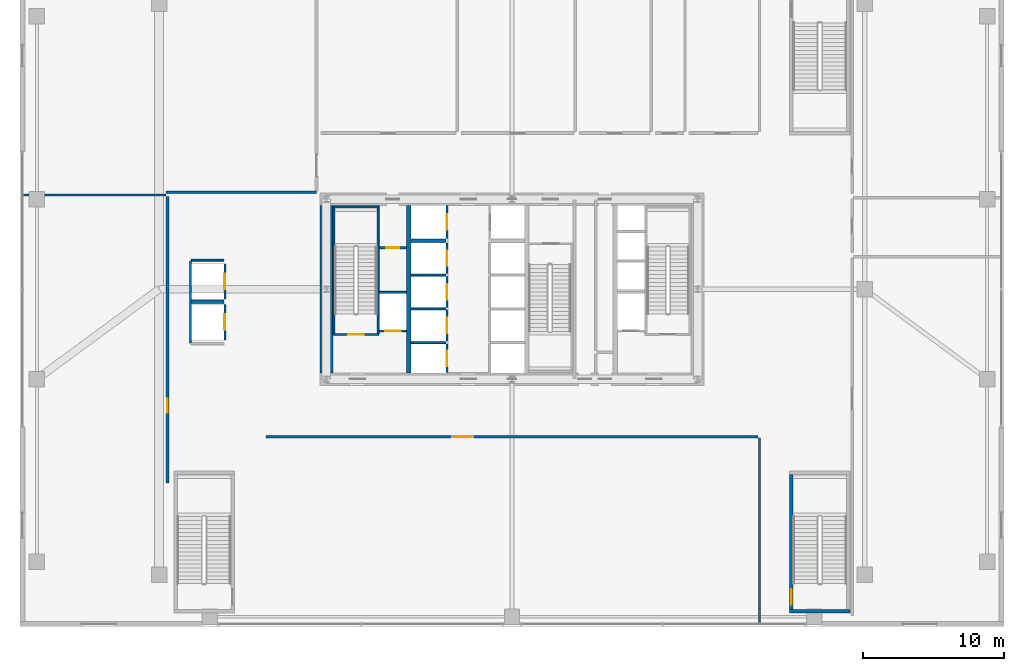
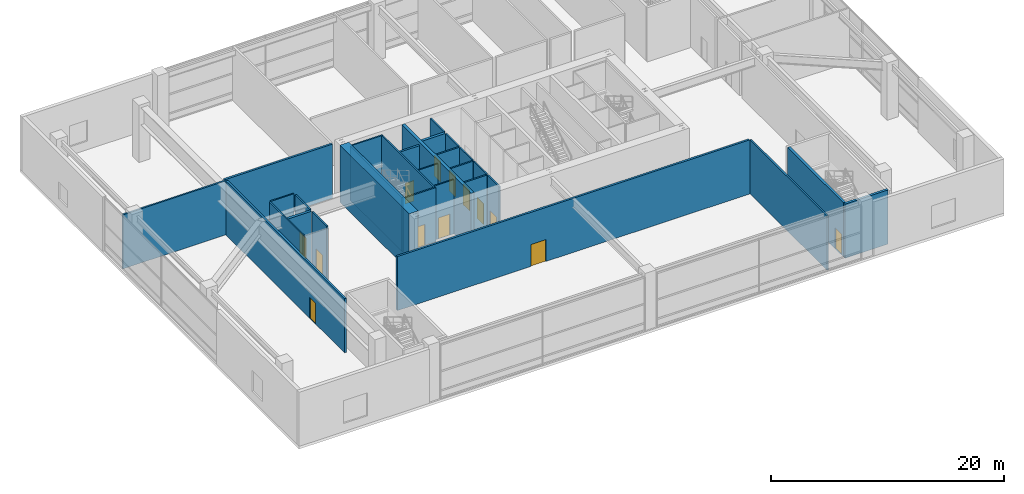
# One storey, part 33 of 39: 30 walls, 13 doors, 13 openings.
"""IFC4 building model written with IfcOpenShell, lengths in metres."""

from ifc_helpers import new_model, si_unit, direction, frame, frame_2d, origin, place, context, subcontext, project, spatial, rectangle, extrude, source, transform, mapped, material, layer, layer_set, type_object, element, fill, save


model = new_model("IFC4")

# Units and contexts
model_context = context("Model", 3, precision=1e-05, world=origin(), true_north=direction((0.0, 1.0)))
body_context = subcontext(model_context, "Body", "Model", "MODEL_VIEW")
ifc_project = project(units=[si_unit("LENGTHUNIT", "METRE"), si_unit("AREAUNIT", "SQUARE_METRE"), si_unit("VOLUMEUNIT", "CUBIC_METRE"), si_unit("PLANEANGLEUNIT", "RADIAN"), si_unit("MASSUNIT", "GRAM", prefix="KILO"), si_unit("THERMODYNAMICTEMPERATUREUNIT", "KELVIN"), si_unit("POWERUNIT", "WATT")], contexts=[model_context])

# Site, building, storey
site_placement = place(None, origin())
site = spatial("IfcSite", under=ifc_project, at=site_placement, CompositionType="ELEMENT")
building_placement = place(site_placement, origin())
building = spatial("IfcBuilding", under=site, at=building_placement, Name="Yuzanri Waterfront Tower", CompositionType="ELEMENT")
storey_placement = place(building_placement, frame((0.0, 0.0, 19.800048828125)))
storey = spatial("IfcBuildingStorey", under=building, at=storey_placement, Name="L05", CompositionType="ELEMENT", Elevation=19.800048828125)

# Wall, opening, door
ifc_material_1 = material(Name="Concrete C40", Category="concrete")
ifc_layer_1 = layer(ifc_material_1, 0.139892578125)
ifc_layer_set_1 = layer_set([ifc_layer_1], Name="Concrete C40")
wall_type_1 = type_object("IfcWallType", Name="Core Stair Liner and Hoistway Shaft Wall 140", PredefinedType="SOLIDWALL", material=ifc_layer_set_1)
wall_1_placement = place(storey_placement, frame((27.56005859375, 22.830078125, 0.0), z_axis=(0.0, 0.0, 1.0), x_axis=(1.0, 0.0, 0.0)))
wall_1 = element("IfcWall", 1, at=wall_1_placement, inside=storey, type_object=wall_type_1, Name="L05 Lift FL-01 Front Shaft Wall", PredefinedType="SOLIDWALL", context=body_context, shape_type="SweptSolid", body=[
    extrude(rectangle(XDim=1.919921875, YDim=0.139892578125, at=frame_2d((0.9599609375, 0.0))), origin(), (0.0, 0.0, 1.0), 5.679931640625),
])
opening_1_placement = place(wall_1_placement, frame((0.409912109375, 0.0, 0.0)))
opening_1 = element("IfcOpeningElement", 2, at=opening_1_placement, cuts=wall_1, Name="Opening LD-FL-01", PredefinedType="OPENING", context=body_context, shape_type="SweptSolid", body=[
    extrude(rectangle(XDim=1.10009765625, YDim=2.199951171875, at=frame_2d((0.550048828125, 1.10009765625))), frame((0.0, 0.0849609375, 0.0), z_axis=(0.0, -1.0, 0.0), x_axis=(1.0, 0.0, 0.0)), (0.0, 0.0, 1.0), 0.169677734375),
])
ifc_material_2 = material(Name="Brushed Bronze and Stainless Steel Cab", Category="steel")
door_type_1 = type_object("IfcDoorType", Name="Center-Parting Bronze Lift Landing Sliding Door 1100x2200", OperationType="NOTDEFINED", PredefinedType="DOOR", material=ifc_material_2)
shared_shape_1 = source(origin(), body_context, "Body", "SweptSolid", [
    extrude(rectangle(XDim=1.10009765625, YDim=2.199951171875, at=frame_2d((0.550048828125, 1.10009765625))), frame((0.0, 0.02490234375, 0.0), z_axis=(0.0, -1.0, 0.0), x_axis=(1.0, 0.0, 0.0)), (0.0, 0.0, 1.0), 0.050048828125),
])
door_1_placement = place(opening_1_placement, origin())
door_1 = element("IfcDoor", 3, at=door_1_placement, inside=storey, type_object=door_type_1, Name="L05 FL-01 Lift Landing Sliding Door", OperationType="SLIDING_TO_LEFT", OverallHeight=2.199951171875, OverallWidth=1.10009765625, PredefinedType="DOOR", context=body_context, shape_type="MappedRepresentation", body=[
    mapped(shared_shape_1, transform((0.0, 0.0, 0.0), scale=1.0)),
])
fill(opening_1, door_1)

wall_2_placement = place(storey_placement, frame((32.3701171875, 19.860107421875, 0.0), z_axis=(0.0, 0.0, 1.0), x_axis=(0.0, 1.0, 0.0)))
wall_2 = element("IfcWall", 4, at=wall_2_placement, inside=storey, type_object=wall_type_1, Name="L05 Lift PL-01 Front Shaft Wall", PredefinedType="SOLIDWALL", context=body_context, shape_type="SweptSolid", body=[
    extrude(rectangle(XDim=2.039794921875, YDim=0.139892578125, at=frame_2d((1.02001953125, 0.0))), origin(), (0.0, 0.0, 1.0), 5.679931640625),
])
opening_2_placement = place(wall_2_placement, frame((0.469970703125, 0.0, 0.0)))
opening_2 = element("IfcOpeningElement", 5, at=opening_2_placement, cuts=wall_2, Name="Opening LD-PL-01", PredefinedType="OPENING", context=body_context, shape_type="SweptSolid", body=[
    extrude(rectangle(XDim=1.10009765625, YDim=2.199951171875, at=frame_2d((0.550048828125, 1.10009765625))), frame((0.0, 0.0849609375, 0.0), z_axis=(0.0, -1.0, 0.0), x_axis=(1.0, 0.0, 0.0)), (0.0, 0.0, 1.0), 0.169677734375),
])
door_2_placement = place(opening_2_placement, origin())
door_2 = element("IfcDoor", 6, at=door_2_placement, inside=storey, type_object=door_type_1, Name="L05 PL-01 Lift Landing Sliding Door", OperationType="SLIDING_TO_LEFT", OverallHeight=2.199951171875, OverallWidth=1.10009765625, PredefinedType="DOOR", context=body_context, shape_type="MappedRepresentation", body=[
    mapped(shared_shape_1, transform((0.0, 0.0, 0.0), scale=1.0)),
])
fill(opening_2, door_2)

wall_3_placement = place(storey_placement, frame((32.3701171875, 22.10009765625, 0.0), z_axis=(0.0, 0.0, 1.0), x_axis=(0.0, 1.0, 0.0)))
wall_3 = element("IfcWall", 7, at=wall_3_placement, inside=storey, type_object=wall_type_1, Name="L05 Lift PL-02 Front Shaft Wall", PredefinedType="SOLIDWALL", context=body_context, shape_type="SweptSolid", body=[
    extrude(rectangle(XDim=2.199951171875, YDim=0.139892578125, at=frame_2d((1.10009765625, 0.0))), origin(), (0.0, 0.0, 1.0), 5.679931640625),
])
opening_3_placement = place(wall_3_placement, frame((0.550048828125, 0.0, 0.0)))
opening_3 = element("IfcOpeningElement", 8, at=opening_3_placement, cuts=wall_3, Name="Opening LD-PL-02", PredefinedType="OPENING", context=body_context, shape_type="SweptSolid", body=[
    extrude(rectangle(XDim=1.10009765625, YDim=2.199951171875, at=frame_2d((0.550048828125, 1.10009765625))), frame((0.0, 0.0849609375, 0.0), z_axis=(0.0, -1.0, 0.0), x_axis=(1.0, 0.0, 0.0)), (0.0, 0.0, 1.0), 0.169677734375),
])
door_3_placement = place(opening_3_placement, origin())
door_3 = element("IfcDoor", 9, at=door_3_placement, inside=storey, type_object=door_type_1, Name="L05 PL-02 Lift Landing Sliding Door", OperationType="SLIDING_TO_RIGHT", OverallHeight=2.199951171875, OverallWidth=1.10009765625, PredefinedType="DOOR", context=body_context, shape_type="MappedRepresentation", body=[
    mapped(shared_shape_1, transform((0.0, 0.0, 0.0), scale=1.0)),
])
fill(opening_3, door_3)

wall_4_placement = place(storey_placement, frame((32.3701171875, 24.5, 0.0), z_axis=(0.0, 0.0, 1.0), x_axis=(0.0, 1.0, 0.0)))
wall_4 = element("IfcWall", 10, at=wall_4_placement, inside=storey, type_object=wall_type_1, Name="L05 Lift PL-03 Front Shaft Wall", PredefinedType="SOLIDWALL", context=body_context, shape_type="SweptSolid", body=[
    extrude(rectangle(XDim=2.199951171875, YDim=0.139892578125, at=frame_2d((1.10009765625, 0.0))), origin(), (0.0, 0.0, 1.0), 5.679931640625),
])
opening_4_placement = place(wall_4_placement, frame((0.550048828125, 0.0, 0.0)))
opening_4 = element("IfcOpeningElement", 11, at=opening_4_placement, cuts=wall_4, Name="Opening LD-PL-03", PredefinedType="OPENING", context=body_context, shape_type="SweptSolid", body=[
    extrude(rectangle(XDim=1.10009765625, YDim=2.199951171875, at=frame_2d((0.550048828125, 1.10009765625))), frame((0.0, 0.0849609375, 0.0), z_axis=(0.0, -1.0, 0.0), x_axis=(1.0, 0.0, 0.0)), (0.0, 0.0, 1.0), 0.169677734375),
])
door_4_placement = place(opening_4_placement, origin())
door_4 = element("IfcDoor", 12, at=door_4_placement, inside=storey, type_object=door_type_1, Name="L05 PL-03 Lift Landing Sliding Door", OperationType="SLIDING_TO_LEFT", OverallHeight=2.199951171875, OverallWidth=1.10009765625, PredefinedType="DOOR", context=body_context, shape_type="MappedRepresentation", body=[
    mapped(shared_shape_1, transform((0.0, 0.0, 0.0), scale=1.0)),
])
fill(opening_4, door_4)

wall_5_placement = place(storey_placement, frame((32.3701171875, 26.89990234375, 0.0), z_axis=(0.0, 0.0, 1.0), x_axis=(0.0, 1.0, 0.0)))
wall_5 = element("IfcWall", 13, at=wall_5_placement, inside=storey, type_object=wall_type_1, Name="L05 Lift PL-04 Front Shaft Wall", PredefinedType="SOLIDWALL", context=body_context, shape_type="SweptSolid", body=[
    extrude(rectangle(XDim=2.2001953125, YDim=0.139892578125, at=frame_2d((1.10009765625, 0.0))), origin(), (0.0, 0.0, 1.0), 5.679931640625),
])
opening_5_placement = place(wall_5_placement, frame((0.550048828125, 0.0, 0.0)))
opening_5 = element("IfcOpeningElement", 14, at=opening_5_placement, cuts=wall_5, Name="Opening LD-PL-04", PredefinedType="OPENING", context=body_context, shape_type="SweptSolid", body=[
    extrude(rectangle(XDim=1.10009765625, YDim=2.199951171875, at=frame_2d((0.550048828125, 1.10009765625))), frame((0.0, 0.0849609375, 0.0), z_axis=(0.0, -1.0, 0.0), x_axis=(1.0, 0.0, 0.0)), (0.0, 0.0, 1.0), 0.169677734375),
])
door_5_placement = place(opening_5_placement, origin())
door_5 = element("IfcDoor", 15, at=door_5_placement, inside=storey, type_object=door_type_1, Name="L05 PL-04 Lift Landing Sliding Door", OperationType="SLIDING_TO_RIGHT", OverallHeight=2.199951171875, OverallWidth=1.10009765625, PredefinedType="DOOR", context=body_context, shape_type="MappedRepresentation", body=[
    mapped(shared_shape_1, transform((0.0, 0.0, 0.0), scale=1.0)),
])
fill(opening_5, door_5)

wall_6_placement = place(storey_placement, frame((32.3701171875, 29.39990234375, 0.0), z_axis=(0.0, 0.0, 1.0), x_axis=(0.0, 1.0, 0.0)))
wall_6 = element("IfcWall", 16, at=wall_6_placement, inside=storey, type_object=wall_type_1, Name="L05 Lift SL-01 Front Shaft Wall", PredefinedType="SOLIDWALL", context=body_context, shape_type="SweptSolid", body=[
    extrude(rectangle(XDim=2.340087890625, YDim=0.139892578125, at=frame_2d((1.169921875, 0.0))), origin(), (0.0, 0.0, 1.0), 5.679931640625),
])
opening_6_placement = place(wall_6_placement, frame((0.6201171875, 0.0, 0.0)))
opening_6 = element("IfcOpeningElement", 17, at=opening_6_placement, cuts=wall_6, Name="Opening LD-SL-01", PredefinedType="OPENING", context=body_context, shape_type="SweptSolid", body=[
    extrude(rectangle(XDim=1.10009765625, YDim=2.199951171875, at=frame_2d((0.550048828125, 1.10009765625))), frame((0.0, 0.0849609375, 0.0), z_axis=(0.0, -1.0, 0.0), x_axis=(1.0, 0.0, 0.0)), (0.0, 0.0, 1.0), 0.169677734375),
])
door_6_placement = place(opening_6_placement, origin())
door_6 = element("IfcDoor", 18, at=door_6_placement, inside=storey, type_object=door_type_1, Name="L05 SL-01 Lift Landing Sliding Door", OperationType="SLIDING_TO_LEFT", OverallHeight=2.199951171875, OverallWidth=1.10009765625, PredefinedType="DOOR", context=body_context, shape_type="MappedRepresentation", body=[
    mapped(shared_shape_1, transform((0.0, 0.0, 0.0), scale=1.0)),
])
fill(opening_6, door_6)

wall_7_placement = place(storey_placement, frame((16.570068359375, 22.199951171875, 0.0), z_axis=(0.0, 0.0, 1.0), x_axis=(0.0, 1.0, 0.0)))
wall_7 = element("IfcWall", 19, at=wall_7_placement, inside=storey, type_object=wall_type_1, Name="L05 Lift RL-01 Front Shaft Wall", PredefinedType="SOLIDWALL", context=body_context, shape_type="SweptSolid", body=[
    extrude(rectangle(XDim=2.5, YDim=0.139892578125, at=frame_2d((1.25, 0.0))), origin(), (0.0, 0.0, 1.0), 5.679931640625),
])
opening_7_placement = place(wall_7_placement, frame((0.699951171875, 0.0, 0.0)))
opening_7 = element("IfcOpeningElement", 20, at=opening_7_placement, cuts=wall_7, Name="Opening LD-RL-01", PredefinedType="OPENING", context=body_context, shape_type="SweptSolid", body=[
    extrude(rectangle(XDim=1.10009765625, YDim=2.199951171875, at=frame_2d((0.550048828125, 1.10009765625))), frame((0.0, 0.0849609375, 0.0), z_axis=(0.0, -1.0, 0.0), x_axis=(1.0, 0.0, 0.0)), (0.0, 0.0, 1.0), 0.169677734375),
])
door_7_placement = place(opening_7_placement, origin())
door_7 = element("IfcDoor", 21, at=door_7_placement, inside=storey, type_object=door_type_1, Name="L05 RL-01 Lift Landing Sliding Door", OperationType="SLIDING_TO_RIGHT", OverallHeight=2.199951171875, OverallWidth=1.10009765625, PredefinedType="DOOR", context=body_context, shape_type="MappedRepresentation", body=[
    mapped(shared_shape_1, transform((0.0, 0.0, 0.0), scale=1.0)),
])
fill(opening_7, door_7)

wall_8_placement = place(storey_placement, frame((16.570068359375, 25.10009765625, 0.0), z_axis=(0.0, 0.0, 1.0), x_axis=(0.0, 1.0, 0.0)))
wall_8 = element("IfcWall", 22, at=wall_8_placement, inside=storey, type_object=wall_type_1, Name="L05 Lift RL-02 Front Shaft Wall", PredefinedType="SOLIDWALL", context=body_context, shape_type="SweptSolid", body=[
    extrude(rectangle(XDim=2.5, YDim=0.139892578125, at=frame_2d((1.25, 0.0))), origin(), (0.0, 0.0, 1.0), 5.679931640625),
])
opening_8_placement = place(wall_8_placement, frame((0.699951171875, 0.0, 0.0)))
opening_8 = element("IfcOpeningElement", 23, at=opening_8_placement, cuts=wall_8, Name="Opening LD-RL-02", PredefinedType="OPENING", context=body_context, shape_type="SweptSolid", body=[
    extrude(rectangle(XDim=1.10009765625, YDim=2.199951171875, at=frame_2d((0.550048828125, 1.10009765625))), frame((0.0, 0.0849609375, 0.0), z_axis=(0.0, -1.0, 0.0), x_axis=(1.0, 0.0, 0.0)), (0.0, 0.0, 1.0), 0.169677734375),
])
door_8_placement = place(opening_8_placement, origin())
door_8 = element("IfcDoor", 24, at=door_8_placement, inside=storey, type_object=door_type_1, Name="L05 RL-02 Lift Landing Sliding Door", OperationType="SLIDING_TO_LEFT", OverallHeight=2.199951171875, OverallWidth=1.10009765625, PredefinedType="DOOR", context=body_context, shape_type="MappedRepresentation", body=[
    mapped(shared_shape_1, transform((0.0, 0.0, 0.0), scale=1.0)),
])
fill(opening_8, door_8)

wall_9_placement = place(storey_placement, frame((24.260009765625, 22.570068359375, 0.0), z_axis=(0.0, 0.0, 1.0), x_axis=(1.0, 0.0, 0.0)))
wall_9 = element("IfcWall", 25, at=wall_9_placement, inside=storey, type_object=wall_type_1, Name="L05 Shaft Wall STW-L05-ST-01-S", PredefinedType="SOLIDWALL", context=body_context, shape_type="SweptSolid", body=[
    extrude(rectangle(XDim=3.280029296875, YDim=0.139892578125, at=frame_2d((1.64013671875, 0.0))), origin(), (0.0, 0.0, 1.0), 5.679931640625),
])
opening_9_placement = place(wall_9_placement, frame((1.090087890625, 0.0, 0.0)))
opening_9 = element("IfcOpeningElement", 26, at=opening_9_placement, cuts=wall_9, Name="Opening FD-1100", PredefinedType="OPENING", context=body_context, shape_type="SweptSolid", body=[
    extrude(rectangle(XDim=1.10009765625, YDim=2.199951171875, at=frame_2d((0.550048828125, 1.10009765625))), frame((0.0, 0.0849609375, 0.0), z_axis=(0.0, -1.0, 0.0), x_axis=(1.0, 0.0, 0.0)), (0.0, 0.0, 1.0), 0.169677734375),
])
ifc_material_3 = material(Name="Painted Galvanized Fire Steel", Category="steel")
door_type_2 = type_object("IfcDoorType", Name="Smoke-Proof Stair and Lobby Fire Door 1100x2200", OperationType="NOTDEFINED", PredefinedType="DOOR", material=ifc_material_3)
shared_shape_2 = source(origin(), body_context, "Body", "SweptSolid", [
    extrude(rectangle(XDim=1.10009765625, YDim=2.199951171875, at=frame_2d((0.550048828125, 1.10009765625))), frame((0.0, 0.02490234375, 0.0), z_axis=(0.0, -1.0, 0.0), x_axis=(1.0, 0.0, 0.0)), (0.0, 0.0, 1.0), 0.050048828125),
])
door_9_placement = place(opening_9_placement, origin())
door_9 = element("IfcDoor", 27, at=door_9_placement, inside=storey, type_object=door_type_2, Name="L05 Stair ST-01 Fire Door", OperationType="SINGLE_SWING_RIGHT", OverallHeight=2.199951171875, OverallWidth=1.10009765625, PredefinedType="DOOR", context=body_context, shape_type="MappedRepresentation", body=[
    mapped(shared_shape_2, transform((0.0, 0.0, 0.0), scale=1.0)),
])
fill(opening_9, door_9)

ifc_material_4 = material(Name="Autoclaved Aerated Concrete Blockwork", Category="masonry")
ifc_layer_2 = layer(ifc_material_4, 0.199951171875)
ifc_layer_set_2 = layer_set([ifc_layer_2], Name="Autoclaved Aerated Concrete Blockwork")
wall_type_2 = type_object("IfcWallType", Name="Corridor and Unit Party Fire Wall 200", PredefinedType="PARTITIONING", material=ifc_layer_set_2)
wall_10_placement = place(storey_placement, frame((27.56005859375, 28.75, 0.0), z_axis=(0.0, 0.0, 1.0), x_axis=(1.0, 0.0, 0.0)))
wall_10 = element("IfcWall", 28, at=wall_10_placement, inside=storey, type_object=wall_type_2, Name="L05 Partition CRW-L05-ERTR", PredefinedType="PARTITIONING", context=body_context, shape_type="SweptSolid", body=[
    extrude(rectangle(XDim=1.919921875, YDim=0.199951171875, at=frame_2d((0.9599609375, 0.0))), origin(), (0.0, 0.0, 1.0), 5.679931640625),
])
opening_10_placement = place(wall_10_placement, frame((0.510009765625, 0.0, 0.0)))
opening_10 = element("IfcOpeningElement", 29, at=opening_10_placement, cuts=wall_10, Name="Opening FD-0900", PredefinedType="OPENING", context=body_context, shape_type="SweptSolid", body=[
    extrude(rectangle(XDim=0.89990234375, YDim=2.14990234375, at=frame_2d((0.449951171875, 1.074951171875))), frame((0.0, 0.11474609375, 0.0), z_axis=(0.0, -1.0, 0.0), x_axis=(1.0, 0.0, 0.0)), (0.0, 0.0, 1.0), 0.229736328125),
])
ifc_material_5 = material(Name="Painted Galvanized Fire Steel", Category="steel")
door_type_3 = type_object("IfcDoorType", Name="Riser and Service Room Fire Door 900x2150", OperationType="NOTDEFINED", PredefinedType="DOOR", material=ifc_material_5)
shared_shape_3 = source(origin(), body_context, "Body", "SweptSolid", [
    extrude(rectangle(XDim=0.89990234375, YDim=2.14990234375, at=frame_2d((0.449951171875, 1.074951171875))), frame((0.0, 0.02490234375, 0.0), z_axis=(0.0, -1.0, 0.0), x_axis=(1.0, 0.0, 0.0)), (0.0, 0.0, 1.0), 0.050048828125),
])
door_10_placement = place(opening_10_placement, origin())
door_10 = element("IfcDoor", 30, at=door_10_placement, inside=storey, type_object=door_type_3, Name="L05 Electrical Riser Door", OperationType="SINGLE_SWING_RIGHT", OverallHeight=2.14990234375, OverallWidth=0.89990234375, PredefinedType="DOOR", context=body_context, shape_type="MappedRepresentation", body=[
    mapped(shared_shape_3, transform((0.0, 0.0, 0.0), scale=1.0)),
])
fill(opening_10, door_10)

wall_11_placement = place(storey_placement, frame((19.5, 15.300048828125, 0.0), z_axis=(0.0, 0.0, 1.0), x_axis=(1.0, 0.0, 0.0)))
wall_11 = element("IfcWall", 31, at=wall_11_placement, inside=storey, type_object=wall_type_2, Name="L05 Partition PRW-L05-026-N", PredefinedType="PARTITIONING", context=body_context, shape_type="SweptSolid", body=[
    extrude(rectangle(XDim=35.0, YDim=0.199951171875, at=frame_2d((17.5, 0.0))), origin(), (0.0, 0.0, 1.0), 5.679931640625),
])
opening_11_placement = place(wall_11_placement, frame((13.25, 0.0, 0.0)))
opening_11 = element("IfcOpeningElement", 32, at=opening_11_placement, cuts=wall_11, Name="Opening FD-1500", PredefinedType="OPENING", context=body_context, shape_type="SweptSolid", body=[
    extrude(rectangle(XDim=1.5, YDim=2.300048828125, at=frame_2d((0.75, 1.14990234375))), frame((0.0, 0.11474609375, 0.0), z_axis=(0.0, -1.0, 0.0), x_axis=(1.0, 0.0, 0.0)), (0.0, 0.0, 1.0), 0.229736328125),
])
ifc_material_6 = material(Name="Painted Galvanized Fire Steel", Category="steel")
door_type_4 = type_object("IfcDoorType", Name="Plant and Ballroom Double Fire Door 1500x2300", OperationType="NOTDEFINED", PredefinedType="DOOR", material=ifc_material_6)
shared_shape_4 = source(origin(), body_context, "Body", "SweptSolid", [
    extrude(rectangle(XDim=1.5, YDim=2.300048828125, at=frame_2d((0.75, 1.14990234375))), frame((0.0, 0.02490234375, 0.0), z_axis=(0.0, -1.0, 0.0), x_axis=(1.0, 0.0, 0.0)), (0.0, 0.0, 1.0), 0.050048828125),
])
door_11_placement = place(opening_11_placement, origin())
door_11 = element("IfcDoor", 33, at=door_11_placement, inside=storey, type_object=door_type_4, Name="L05 Ballroom Pre-Function Riverview Hall", OperationType="DOUBLE_DOOR_SINGLE_SWING", OverallHeight=2.300048828125, OverallWidth=1.5, PredefinedType="DOOR", context=body_context, shape_type="MappedRepresentation", body=[
    mapped(shared_shape_4, transform((0.0, 0.0, 0.0), scale=1.0)),
])
fill(opening_11, door_11)

wall_12_placement = place(storey_placement, frame((12.5, 12.0, 0.0), z_axis=(0.0, 0.0, 1.0), x_axis=(0.0, 1.0, 0.0)))
wall_12 = element("IfcWall", 34, at=wall_12_placement, inside=storey, type_object=wall_type_2, Name="L05 Partition PRW-L05-027-E", PredefinedType="PARTITIONING", context=body_context, shape_type="SweptSolid", body=[
    extrude(rectangle(XDim=20.39990234375, YDim=0.199951171875, at=frame_2d((10.199951171875, 0.0))), origin(), (0.0, 0.0, 1.0), 5.679931640625),
])
opening_12_placement = place(wall_12_placement, frame((5.0, 0.0, 0.0)))
opening_12 = element("IfcOpeningElement", 35, at=opening_12_placement, cuts=wall_12, Name="Opening FD-1000", PredefinedType="OPENING", context=body_context, shape_type="SweptSolid", body=[
    extrude(rectangle(XDim=1.0, YDim=2.199951171875, at=frame_2d((0.5, 1.10009765625))), frame((0.0, 0.11474609375, 0.0), z_axis=(0.0, -1.0, 0.0), x_axis=(1.0, 0.0, 0.0)), (0.0, 0.0, 1.0), 0.229736328125),
])
ifc_material_7 = material(Name="Engineered Oak Fire-Rated Timber", Category="wood")
door_type_5 = type_object("IfcDoorType", Name="Guestroom and Apartment Entrance Fire Door 1000x2200", OperationType="NOTDEFINED", PredefinedType="DOOR", material=ifc_material_7)
shared_shape_5 = source(origin(), body_context, "Body", "SweptSolid", [
    extrude(rectangle(XDim=1.0, YDim=2.199951171875, at=frame_2d((0.5, 1.10009765625))), frame((0.0, 0.02490234375, 0.0), z_axis=(0.0, -1.0, 0.0), x_axis=(1.0, 0.0, 0.0)), (0.0, 0.0, 1.0), 0.050048828125),
])
door_12_placement = place(opening_12_placement, origin())
door_12 = element("IfcDoor", 36, at=door_12_placement, inside=storey, type_object=door_type_5, Name="L05 VIP Bridal and Green Salon", OperationType="SINGLE_SWING_RIGHT", OverallHeight=2.199951171875, OverallWidth=1.0, PredefinedType="DOOR", context=body_context, shape_type="MappedRepresentation", body=[
    mapped(shared_shape_5, transform((0.0, 0.0, 0.0), scale=1.0)),
])
fill(opening_12, door_12)

ifc_material_8 = material(Name="Concrete C40", Category="concrete")
ifc_layer_3 = layer(ifc_material_8, 0.25)
ifc_layer_set_3 = layer_set([ifc_layer_3], Name="Concrete C40")
wall_type_3 = type_object("IfcWallType", Name="Smoke-Proof Stair and Lift Shaft Wall 250", PredefinedType="SOLIDWALL", material=ifc_layer_set_3)
wall_13_placement = place(storey_placement, frame((56.875, 3.0, 0.0), z_axis=(0.0, 0.0, 1.0), x_axis=(0.0, 1.0, 0.0)))
wall_13 = element("IfcWall", 37, at=wall_13_placement, inside=storey, type_object=wall_type_3, Name="L05 Shaft Wall PSTW-L05-PST-02-W", PredefinedType="SOLIDWALL", context=body_context, shape_type="SweptSolid", body=[
    extrude(rectangle(XDim=9.60009765625, YDim=0.25, at=frame_2d((4.800048828125, 0.0))), origin(), (0.0, 0.0, 1.0), 5.679931640625),
])
opening_13_placement = place(wall_13_placement, frame((0.35009765625, 0.0, 0.0)))
opening_13 = element("IfcOpeningElement", 38, at=opening_13_placement, cuts=wall_13, Name="Opening FD-1100", PredefinedType="OPENING", context=body_context, shape_type="SweptSolid", body=[
    extrude(rectangle(XDim=1.10009765625, YDim=2.199951171875, at=frame_2d((0.550048828125, 1.10009765625))), frame((0.0, 0.139892578125, 0.0), z_axis=(0.0, -1.0, 0.0), x_axis=(1.0, 0.0, 0.0)), (0.0, 0.0, 1.0), 0.27978515625),
])
door_13_placement = place(opening_13_placement, origin())
door_13 = element("IfcDoor", 39, at=door_13_placement, inside=storey, type_object=door_type_2, Name="L05 PST-02 Stair Door", OperationType="SINGLE_SWING_RIGHT", OverallHeight=2.199951171875, OverallWidth=1.10009765625, PredefinedType="DOOR", context=body_context, shape_type="MappedRepresentation", body=[
    mapped(shared_shape_2, transform((0.0, 0.0, 0.0), scale=1.0)),
])
fill(opening_13, door_13)

# Walls
ifc_material_9 = material(Name="Concrete C60", Category="concrete")
ifc_layer_4 = layer(ifc_material_9, 0.89990234375)
ifc_layer_set_4 = layer_set([ifc_layer_4], Name="Concrete C60")
wall_type_4 = type_object("IfcWallType", Name="Concrete C60 Lower Zone Core Shear Wall 900", PredefinedType="SHEAR", material=ifc_layer_set_4)
shared_shape_6 = source(origin(), body_context, "Body", "SweptSolid", [
    extrude(rectangle(XDim=11.89990234375, YDim=0.89990234375, at=frame_2d((5.949951171875, 0.0))), origin(), (0.0, 0.0, 1.0), 6.0),
])
wall_14_placement = place(storey_placement, frame((23.800048828125, 19.85009765625, 0.0), z_axis=(0.0, 0.0, 1.0), x_axis=(0.0, 1.0, 0.0)))
element("IfcWall", 40, at=wall_14_placement, inside=storey, type_object=wall_type_4, Name="L05 Core West Shear Wall", PredefinedType="SHEAR", context=body_context, shape_type="MappedRepresentation", body=[
    mapped(shared_shape_6, transform((0.0, 0.0, 0.0), scale=1.0)),
])
ifc_material_10 = material(Name="Concrete C50", Category="concrete")
ifc_layer_5 = layer(ifc_material_10, 0.300048828125)
ifc_layer_set_5 = layer_set([ifc_layer_5], Name="Concrete C50")
wall_type_5 = type_object("IfcWallType", Name="Concrete C50 Internal Core Shaft Structural Wall 300", PredefinedType="SOLIDWALL", material=ifc_layer_set_5)
shared_shape_7 = source(origin(), body_context, "Body", "SweptSolid", [
    extrude(rectangle(XDim=11.89990234375, YDim=0.300048828125, at=frame_2d((5.949951171875, 0.0))), origin(), (0.0, 0.0, 1.0), 6.0),
])
wall_15_placement = place(storey_placement, frame((29.64990234375, 19.85009765625, 0.0), z_axis=(0.0, 0.0, 1.0), x_axis=(0.0, 1.0, 0.0)))
element("IfcWall", 41, at=wall_15_placement, inside=storey, type_object=wall_type_5, Name="L05 Core Internal Structural Web Wall 1", PredefinedType="SOLIDWALL", context=body_context, shape_type="MappedRepresentation", body=[
    mapped(shared_shape_7, transform((0.0, 0.0, 0.0), scale=1.0)),
])
shared_shape_8 = source(origin(), body_context, "Body", "SweptSolid", [
    extrude(rectangle(XDim=1.919921875, YDim=0.139892578125, at=frame_2d((0.9599609375, 0.0))), origin(), (0.0, 0.0, 1.0), 5.679931640625),
])
wall_16_placement = place(storey_placement, frame((27.56005859375, 25.570068359375, 0.0), z_axis=(0.0, 0.0, 1.0), x_axis=(1.0, 0.0, 0.0)))
element("IfcWall", 42, at=wall_16_placement, inside=storey, type_object=wall_type_1, Name="L05 Lift FL-01 Back Shaft Wall", PredefinedType="SOLIDWALL", context=body_context, shape_type="MappedRepresentation", body=[
    mapped(shared_shape_8, transform((0.0, 0.0, 0.0), scale=1.0)),
])
shared_shape_9 = source(origin(), body_context, "Body", "SweptSolid", [
    extrude(rectangle(XDim=2.5, YDim=0.139892578125, at=frame_2d((1.25, 0.0))), origin(), (0.0, 0.0, 1.0), 5.679931640625),
])
for number, where, z_axis, x_axis, name in (
    (43, (29.800048828125, 22.0, 0.0), (0.0, 0.0, 1.0), (1.0, 0.0, 0.0), "L05 Lift PL-01 Divider Wall"),
    (44, (29.800048828125, 24.39990234375, 0.0), (0.0, 0.0, 1.0), (1.0, 0.0, 0.0), "L05 Lift PL-02 Divider Wall"),
    (45, (29.800048828125, 26.800048828125, 0.0), (0.0, 0.0, 1.0), (1.0, 0.0, 0.0), "L05 Lift PL-03 Divider Wall"),
):
    element("IfcWall", number, at=place(storey_placement, frame(where, z_axis=z_axis, x_axis=x_axis)), inside=storey, type_object=wall_type_1, Name=name, PredefinedType="SOLIDWALL", context=body_context, shape_type="MappedRepresentation", body=[
        mapped(shared_shape_9, transform((0.0, 0.0, 0.0), scale=1.0)),
    ])
shared_shape_10 = source(origin(), body_context, "Body", "SweptSolid", [
    extrude(rectangle(XDim=2.5, YDim=0.25, at=frame_2d((1.25, 0.0))), origin(), (0.0, 0.0, 1.0), 5.679931640625),
])
wall_17_placement = place(storey_placement, frame((29.800048828125, 29.25, 0.0), z_axis=(0.0, 0.0, 1.0), x_axis=(1.0, 0.0, 0.0)))
element("IfcWall", 46, at=wall_17_placement, inside=storey, type_object=wall_type_3, Name="L05 Lift SL-01 South Shaft Wall", PredefinedType="SOLIDWALL", context=body_context, shape_type="MappedRepresentation", body=[
    mapped(shared_shape_10, transform((0.0, 0.0, 0.0), scale=1.0)),
])
shared_shape_11 = source(origin(), body_context, "Body", "SweptSolid", [
    extrude(rectangle(XDim=2.300048828125, YDim=0.25, at=frame_2d((1.14990234375, 0.0))), origin(), (0.0, 0.0, 1.0), 5.679931640625),
])
wall_18_placement = place(storey_placement, frame((14.199951171875, 24.89990234375, 0.0), z_axis=(0.0, 0.0, 1.0), x_axis=(1.0, 0.0, 0.0)))
element("IfcWall", 47, at=wall_18_placement, inside=storey, type_object=wall_type_3, Name="L05 Lift RL-01 Divider Wall", PredefinedType="SOLIDWALL", context=body_context, shape_type="MappedRepresentation", body=[
    mapped(shared_shape_11, transform((0.0, 0.0, 0.0), scale=1.0)),
])
shared_shape_12 = source(origin(), body_context, "Body", "SweptSolid", [
    extrude(rectangle(XDim=5.800048828125, YDim=0.139892578125, at=frame_2d((2.89990234375, 0.0))), origin(), (0.0, 0.0, 1.0), 5.679931640625),
])
wall_19_placement = place(storey_placement, frame((14.1298828125, 22.0, 0.0), z_axis=(0.0, 0.0, 1.0), x_axis=(0.0, 1.0, 0.0)))
element("IfcWall", 48, at=wall_19_placement, inside=storey, type_object=wall_type_1, Name="L05 Retail Lift West Shaft Wall", PredefinedType="SOLIDWALL", context=body_context, shape_type="MappedRepresentation", body=[
    mapped(shared_shape_12, transform((0.0, 0.0, 0.0), scale=1.0)),
])
shared_shape_13 = source(origin(), body_context, "Body", "SweptSolid", [
    extrude(rectangle(XDim=2.300048828125, YDim=0.139892578125, at=frame_2d((1.14990234375, 0.0))), origin(), (0.0, 0.0, 1.0), 5.679931640625),
])
wall_20_placement = place(storey_placement, frame((14.199951171875, 27.8701171875, 0.0), z_axis=(0.0, 0.0, 1.0), x_axis=(1.0, 0.0, 0.0)))
element("IfcWall", 49, at=wall_20_placement, inside=storey, type_object=wall_type_1, Name="L05 Retail Lift North Shaft Wall", PredefinedType="SOLIDWALL", context=body_context, shape_type="MappedRepresentation", body=[
    mapped(shared_shape_13, transform((0.0, 0.0, 0.0), scale=1.0)),
])
shared_shape_14 = source(origin(), body_context, "Body", "SweptSolid", [
    extrude(rectangle(XDim=3.280029296875, YDim=0.139892578125, at=frame_2d((1.64013671875, 0.0))), origin(), (0.0, 0.0, 1.0), 5.679931640625),
])
wall_21_placement = place(storey_placement, frame((24.260009765625, 31.64990234375, 0.0), z_axis=(0.0, 0.0, 1.0), x_axis=(1.0, 0.0, 0.0)))
element("IfcWall", 50, at=wall_21_placement, inside=storey, type_object=wall_type_1, Name="L05 Stair ST-01 North Shaft Wall", PredefinedType="SOLIDWALL", context=body_context, shape_type="MappedRepresentation", body=[
    mapped(shared_shape_14, transform((0.0, 0.0, 0.0), scale=1.0)),
])
shared_shape_15 = source(origin(), body_context, "Body", "SweptSolid", [
    extrude(rectangle(XDim=8.940185546875, YDim=0.139892578125, at=frame_2d((4.47021484375, 0.0))), origin(), (0.0, 0.0, 1.0), 5.679931640625),
])
for number, where, z_axis, x_axis, name in (
    (51, (24.330078125, 22.639892578125, 0.0), (0.0, 0.0, 1.0), (0.0, 1.0, 0.0), "L05 Stair ST-01 West Shaft Wall"),
    (52, (27.469970703125, 22.639892578125, 0.0), (0.0, 0.0, 1.0), (0.0, 1.0, 0.0), "L05 Stair ST-01 East Shaft Wall"),
):
    element("IfcWall", number, at=place(storey_placement, frame(where, z_axis=z_axis, x_axis=x_axis)), inside=storey, type_object=wall_type_1, Name=name, PredefinedType="SOLIDWALL", context=body_context, shape_type="MappedRepresentation", body=[
        mapped(shared_shape_15, transform((0.0, 0.0, 0.0), scale=1.0)),
    ])
shared_shape_16 = source(origin(), body_context, "Body", "SweptSolid", [
    extrude(rectangle(XDim=4.300048828125, YDim=0.25, at=frame_2d((2.14990234375, 0.0))), origin(), (0.0, 0.0, 1.0), 5.679931640625),
])
wall_22_placement = place(storey_placement, frame((56.75, 2.875, 0.0), z_axis=(0.0, 0.0, 1.0), x_axis=(1.0, 0.0, 0.0)))
element("IfcWall", 53, at=wall_22_placement, inside=storey, type_object=wall_type_3, Name="L05 PST-02 South Wall", PredefinedType="SOLIDWALL", context=body_context, shape_type="MappedRepresentation", body=[
    mapped(shared_shape_16, transform((0.0, 0.0, 0.0), scale=1.0)),
])
shared_shape_17 = source(origin(), body_context, "Body", "SweptSolid", [
    extrude(rectangle(XDim=10.7001953125, YDim=0.199951171875, at=frame_2d((5.35009765625, 0.0))), origin(), (0.0, 0.0, 1.0), 5.679931640625),
])
wall_23_placement = place(storey_placement, frame((12.39990234375, 32.699951171875, 0.0), z_axis=(0.0, 0.0, 1.0), x_axis=(1.0, 0.0, 0.0)))
element("IfcWall", 54, at=wall_23_placement, inside=storey, type_object=wall_type_2, Name="L05 Grand Ballroom South Wall", PredefinedType="PARTITIONING", context=body_context, shape_type="MappedRepresentation", body=[
    mapped(shared_shape_17, transform((0.0, 0.0, 0.0), scale=1.0)),
])
ifc_material_11 = material(Name="Gypsum Fireboard Acoustic Stud Wall", Category="gypsum")
ifc_layer_6 = layer(ifc_material_11, 0.159912109375)
ifc_layer_set_6 = layer_set([ifc_layer_6], Name="Gypsum Fireboard Acoustic Stud Wall")
wall_type_6 = type_object("IfcWallType", Name="Acoustic Suite Demising Partition 160", PredefinedType="PARTITIONING", material=ifc_layer_set_6)
shared_shape_18 = source(origin(), body_context, "Body", "SweptSolid", [
    extrude(rectangle(XDim=13.219970703125, YDim=0.159912109375, at=frame_2d((6.60986328125, 0.0))), origin(), (0.0, 0.0, 1.0), 5.679931640625),
])
wall_24_placement = place(storey_placement, frame((54.60009765625, 1.97998046875, 0.0), z_axis=(0.0, 0.0, 1.0), x_axis=(0.0, 1.0, 0.0)))
element("IfcWall", 55, at=wall_24_placement, inside=storey, type_object=wall_type_6, Name="L05-026 Demising Wall", PredefinedType="PARTITIONING", context=body_context, shape_type="MappedRepresentation", body=[
    mapped(shared_shape_18, transform((0.0, 0.0, 0.0), scale=1.0)),
])
shared_shape_19 = source(origin(), body_context, "Body", "SweptSolid", [
    extrude(rectangle(XDim=10.219970703125, YDim=0.159912109375, at=frame_2d((5.10986328125, 0.0))), origin(), (0.0, 0.0, 1.0), 5.679931640625),
])
wall_25_placement = place(storey_placement, frame((2.179931640625, 32.5, 0.0), z_axis=(0.0, 0.0, 1.0), x_axis=(1.0, 0.0, 0.0)))
element("IfcWall", 56, at=wall_25_placement, inside=storey, type_object=wall_type_6, Name="L05-027 North Partition", PredefinedType="PARTITIONING", context=body_context, shape_type="MappedRepresentation", body=[
    mapped(shared_shape_19, transform((0.0, 0.0, 0.0), scale=1.0)),
])

save(model, "model.ifc")
